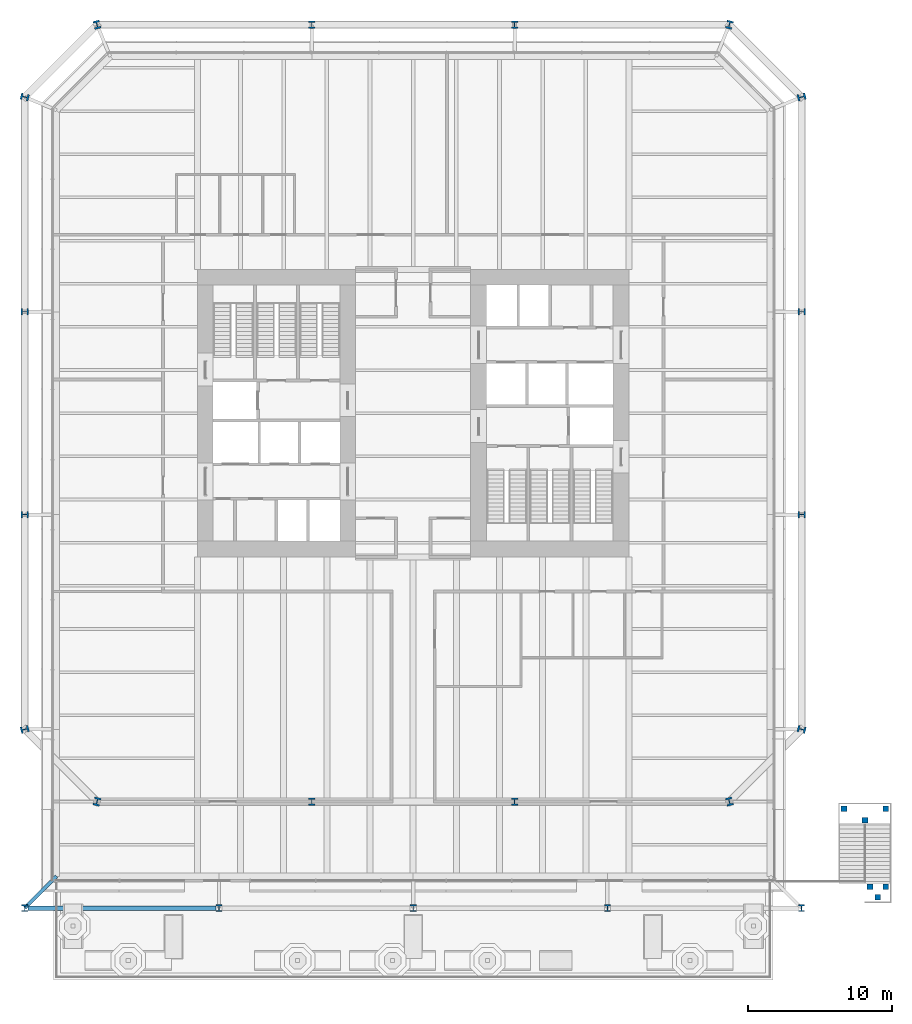
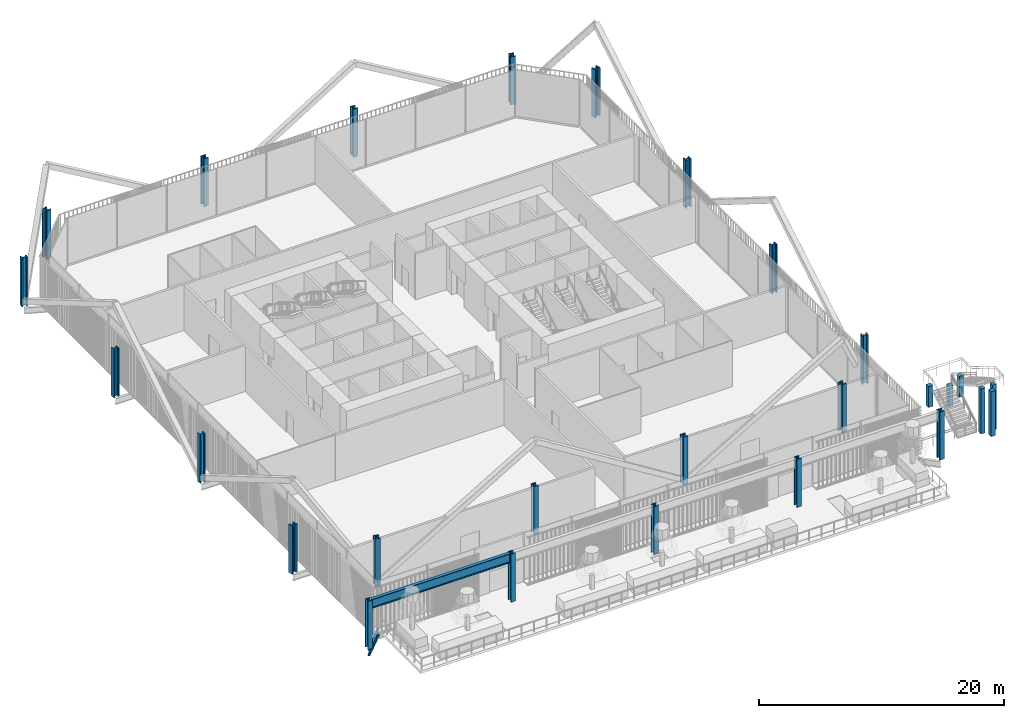
# One storey, part 1 of 26: 27 columns, 2 beams.
"""IFC4 building model written with IfcOpenShell, lengths in metres."""

from ifc_helpers import new_model, si_unit, direction, frame, origin, origin_2d, place, context, subcontext, project, spatial, rectangle, i_section, extrude, material, material_profile, profile_set, type_object, element, save


model = new_model("IFC4")

# Units and contexts
model_context = context("Model", 3, precision=1e-05, world=origin(), true_north=direction((0.0, 1.0)))
body_context = subcontext(model_context, "Body", "Model", "MODEL_VIEW")
ifc_project = project(units=[si_unit("LENGTHUNIT", "METRE"), si_unit("AREAUNIT", "SQUARE_METRE"), si_unit("VOLUMEUNIT", "CUBIC_METRE"), si_unit("PLANEANGLEUNIT", "RADIAN"), si_unit("MASSUNIT", "GRAM", prefix="KILO")], contexts=[model_context])

# Site, building, storey
site_placement = place(None, origin())
site = spatial("IfcSite", under=ifc_project, at=site_placement, CompositionType="ELEMENT")
building_placement = place(site_placement, origin())
building = spatial("IfcBuilding", under=site, at=building_placement, Name="Millrace Tower", CompositionType="ELEMENT")
storey_placement = place(building_placement, frame((0.0, 0.0, 11.300048828125)))
storey = spatial("IfcBuildingStorey", under=building, at=storey_placement, Name="L03", CompositionType="ELEMENT", Elevation=11.300048828125)

# Columns
ifc_material_1 = material(Name="Steel ASTM A913 Grade 65", Category="steel")
ifc_material_profile_1 = material_profile(ifc_material_1, i_section(OverallWidth=0.44189453125, OverallDepth=0.53076171875, WebThickness=0.06591796875, FlangeThickness=0.105712890625, FilletRadius=0.01513671875, at=origin_2d()))
ifc_profile_set_1 = profile_set([ifc_material_profile_1], Name="Steel ASTM A913 Grade 65")
column_type_1 = type_object("IfcColumnType", Name="Exoskeleton column W14x605", PredefinedType="COLUMN", material=ifc_profile_set_1)
for number, where, z_axis, x_axis, name in (
    (1, (-7.050048828125, -27.0, 0.0), (0.0, 0.0, 1.0), (1.0, 0.0, 0.0), "COL-A-L03-X03"),
    (2, (7.050048828125, -27.0, 0.0), (0.0, 0.0, 1.0), (1.0, 0.0, 0.0), "COL-A-L03-X04"),
    (3, (27.0, -7.050048828125, 0.0), (0.0, 0.0, 1.0), (0.0, 1.0, 0.0), "COL-A-L03-X07"),
    (4, (27.0, 7.050048828125, 0.0), (0.0, 0.0, 1.0), (0.0, 1.0, 0.0), "COL-A-L03-X08"),
    (5, (7.050048828125, 27.0, 0.0), (0.0, 0.0, 1.0), (-1.0, 0.0, 0.0), "COL-A-L03-X11"),
    (6, (-7.050048828125, 27.0, 0.0), (0.0, 0.0, 1.0), (-1.0, 0.0, 0.0), "COL-A-L03-X12"),
    (7, (-27.0, 7.050048828125, 0.0), (0.0, 0.0, 1.0), (0.0, -1.0, 0.0), "COL-A-L03-X15"),
    (8, (-27.0, -7.050048828125, 0.0), (0.0, 0.0, 1.0), (0.0, -1.0, 0.0), "COL-A-L03-X16"),
):
    element("IfcColumn", number, at=place(storey_placement, frame(where, z_axis=z_axis, x_axis=x_axis)), inside=storey, type_object=column_type_1, Name=name, PredefinedType="COLUMN", context=body_context, shape_type="SweptSolid", body=[
        extrude(i_section(OverallWidth=0.44189453125, OverallDepth=0.53076171875, WebThickness=0.06591796875, FlangeThickness=0.105712890625, FilletRadius=0.01513671875, at=origin_2d()), origin(), (0.0, 0.0, 1.0), 4.800048828125),
    ])
ifc_material_2 = material(Name="Steel ASTM A913 Grade 65", Category="steel")
ifc_material_profile_2 = material_profile(ifc_material_2, i_section(OverallWidth=0.45458984375, OverallDepth=0.56884765625, WebThickness=0.077880859375, FlangeThickness=0.124755859375, FilletRadius=0.01513671875, at=origin_2d()))
ifc_profile_set_2 = profile_set([ifc_material_profile_2], Name="Steel ASTM A913 Grade 65")
column_type_2 = type_object("IfcColumnType", Name="Exoskeleton column W14x730", PredefinedType="COLUMN", material=ifc_profile_set_2)
for number, where, z_axis, x_axis, name in (
    (9, (-27.0, -21.978515625, 0.0), (0.0, 0.0, 1.0), (0.244094142872, -0.969751540043, 0.0), "COL-A-L03-X01"),
    (10, (-21.978515625, -27.0, 0.0), (0.0, 0.0, 1.0), (0.969751540043, -0.244094142872, 0.0), "COL-A-L03-X02"),
    (11, (21.978515625, -27.0, 0.0), (0.0, 0.0, 1.0), (0.969751540043, 0.244094142872, 0.0), "COL-A-L03-X05"),
    (12, (27.0, -21.978515625, 0.0), (0.0, 0.0, 1.0), (0.244094142872, 0.969751540043, 0.0), "COL-A-L03-X06"),
    (13, (27.0, 21.978515625, 0.0), (0.0, 0.0, 1.0), (-0.244094142872, 0.969751540043, 0.0), "COL-A-L03-X09"),
    (14, (21.978515625, 27.0, 0.0), (0.0, 0.0, 1.0), (-0.969751540043, 0.244094142872, 0.0), "COL-A-L03-X10"),
    (15, (-21.978515625, 27.0, 0.0), (0.0, 0.0, 1.0), (-0.969751540043, -0.244094142872, 0.0), "COL-A-L03-X13"),
    (16, (-27.0, 21.978515625, 0.0), (0.0, 0.0, 1.0), (-0.244094142872, -0.969751540043, 0.0), "COL-A-L03-X14"),
):
    element("IfcColumn", number, at=place(storey_placement, frame(where, z_axis=z_axis, x_axis=x_axis)), inside=storey, type_object=column_type_2, Name=name, PredefinedType="COLUMN", context=body_context, shape_type="SweptSolid", body=[
        extrude(i_section(OverallWidth=0.45458984375, OverallDepth=0.56884765625, WebThickness=0.077880859375, FlangeThickness=0.124755859375, FilletRadius=0.01513671875, at=origin_2d()), origin(), (0.0, 0.0, 1.0), 4.800048828125),
    ])
ifc_material_3 = material(Name="Concrete C45", Category="concrete")
ifc_material_profile_3 = material_profile(ifc_material_3, rectangle(XDim=0.39990234375, YDim=0.39990234375, at=origin_2d()))
ifc_profile_set_3 = profile_set([ifc_material_profile_3], Name="Concrete C45")
column_type_3 = type_object("IfcColumnType", Name="Landing pier column 400", PredefinedType="COLUMN", material=ifc_profile_set_3)
for number, where, z_axis, x_axis, name in (
    (17, (29.949951171875, -27.489990234375, 0.0), (0.0, 0.0, 1.0), (1.0, 0.0, 0.0), "Landing pier column RP-C-MID 1 L03"),
    (18, (31.39990234375, -28.2900390625, 0.0), (0.0, 0.0, 1.0), (1.0, 0.0, 0.0), "Landing pier column RP-C-MID 2 L03"),
    (19, (32.85009765625, -27.489990234375, 0.0), (0.0, 0.0, 1.0), (1.0, 0.0, 0.0), "Landing pier column RP-C-MID 3 L03"),
):
    element("IfcColumn", number, at=place(storey_placement, frame(where, z_axis=z_axis, x_axis=x_axis)), inside=storey, type_object=column_type_3, Name=name, PredefinedType="COLUMN", context=body_context, shape_type="SweptSolid", body=[
        extrude(rectangle(XDim=0.39990234375, YDim=0.39990234375, at=origin_2d()), origin(), (0.0, 0.0, 1.0), 2.099853515625),
    ])
for number, where, z_axis, x_axis, name in (
    (20, (31.75, -32.909912109375, 0.0), (0.0, 0.0, 1.0), (1.0, 0.0, 0.0), "Landing pier column RP-C-TOP 1 L03"),
    (21, (32.300048828125, -33.64990234375, 0.0), (0.0, 0.0, 1.0), (1.0, 0.0, 0.0), "Landing pier column RP-C-TOP 2 L03"),
    (22, (32.85009765625, -32.909912109375, 0.0), (0.0, 0.0, 1.0), (1.0, 0.0, 0.0), "Landing pier column RP-C-TOP 3 L03"),
):
    element("IfcColumn", number, at=place(storey_placement, frame(where, z_axis=z_axis, x_axis=x_axis)), inside=storey, type_object=column_type_3, Name=name, PredefinedType="COLUMN", context=body_context, shape_type="SweptSolid", body=[
        extrude(rectangle(XDim=0.39990234375, YDim=0.39990234375, at=origin_2d()), origin(), (0.0, 0.0, 1.0), 4.5),
    ])
ifc_material_4 = material(Name="Steel ASTM A913 Grade 65", Category="steel")
ifc_material_profile_4 = material_profile(ifc_material_4, i_section(OverallWidth=0.431884765625, OverallDepth=0.497802734375, WebThickness=0.0556640625, FlangeThickness=0.0888671875, FilletRadius=0.01513671875, at=origin_2d()))
ifc_profile_set_4 = profile_set([ifc_material_profile_4], Name="Steel ASTM A913 Grade 65")
column_type_4 = type_object("IfcColumnType", Name="Wing column W14x500", PredefinedType="COLUMN", material=ifc_profile_set_4)
for number, where, z_axis, x_axis, name in (
    (23, (-27.0, -34.39990234375, 0.0), (0.0, 0.0, 1.0), (1.0, 0.0, 0.0), "COL-AW3-L03-X01"),
    (24, (-13.5, -34.39990234375, 0.0), (0.0, 0.0, 1.0), (1.0, 0.0, 0.0), "COL-AW3-L03-X02"),
    (25, (0.0, -34.39990234375, 0.0), (0.0, 0.0, 1.0), (1.0, 0.0, 0.0), "COL-AW3-L03-X03"),
    (26, (13.5, -34.39990234375, 0.0), (0.0, 0.0, 1.0), (1.0, 0.0, 0.0), "COL-AW3-L03-X04"),
    (27, (27.0, -34.39990234375, 0.0), (0.0, 0.0, 1.0), (1.0, 0.0, 0.0), "COL-AW3-L03-X05"),
):
    element("IfcColumn", number, at=place(storey_placement, frame(where, z_axis=z_axis, x_axis=x_axis)), inside=storey, type_object=column_type_4, Name=name, PredefinedType="COLUMN", context=body_context, shape_type="SweptSolid", body=[
        extrude(i_section(OverallWidth=0.431884765625, OverallDepth=0.497802734375, WebThickness=0.0556640625, FlangeThickness=0.0888671875, FilletRadius=0.01513671875, at=origin_2d()), origin(), (0.0, 0.0, 1.0), 4.800048828125),
    ])

# Beams
ifc_material_5 = material(Name="Steel ASTM A992 Grade 50", Category="steel")
ifc_material_profile_5 = material_profile(ifc_material_5, i_section(OverallWidth=0.23046875, OverallDepth=0.6171875, WebThickness=0.01318359375, FlangeThickness=0.022216796875, FilletRadius=0.012939453125, at=origin_2d()))
ifc_profile_set_5 = profile_set([ifc_material_profile_5], Name="Steel ASTM A992 Grade 50")
beam_type_1 = type_object("IfcBeamType", Name="Link beam W24x94", PredefinedType="BEAM", material=ifc_profile_set_5)
beam_1_placement = place(storey_placement, frame((-24.7890625, -32.189208984375, -0.53369140625), z_axis=(-0.707145823054, -0.707067737163, 0.0), x_axis=(0.707067737163, -0.707145823054, 0.0)))
element("IfcBeam", 28, at=beam_1_placement, inside=storey, type_object=beam_type_1, Name="LNK-A-L03-S1-01", PredefinedType="BEAM", context=body_context, shape_type="SweptSolid", body=[
    extrude(i_section(OverallWidth=0.23046875, OverallDepth=0.6171875, WebThickness=0.01318359375, FlangeThickness=0.022216796875, FilletRadius=0.012939453125, at=origin_2d()), origin(), (0.0, 0.0, 1.0), 3.12646484375),
])
ifc_material_6 = material(Name="Steel ASTM A992 Grade 50", Category="steel")
ifc_material_profile_6 = material_profile(ifc_material_6, i_section(OverallWidth=0.307373046875, OverallDepth=0.927001953125, WebThickness=0.01953125, FlangeThickness=0.031982421875, FilletRadius=0.01904296875, at=origin_2d()))
ifc_profile_set_6 = profile_set([ifc_material_profile_6], Name="Steel ASTM A992 Grade 50")
beam_type_2 = type_object("IfcBeamType", Name="Terrace edge beam W36x194", PredefinedType="BEAM", material=ifc_profile_set_6)
beam_2_placement = place(storey_placement, frame((-26.7841796875, -34.39990234375, 4.33642578125), z_axis=(1.0, 0.0, 0.0), x_axis=(0.0, 1.0, 0.0)))
element("IfcBeam", 29, at=beam_2_placement, inside=storey, type_object=beam_type_2, Name="BM-WING-L03-EDGE01", PredefinedType="BEAM", context=body_context, shape_type="SweptSolid", body=[
    extrude(i_section(OverallWidth=0.307373046875, OverallDepth=0.927001953125, WebThickness=0.01953125, FlangeThickness=0.031982421875, FilletRadius=0.01904296875, at=origin_2d()), origin(), (0.0, 0.0, 1.0), 13.068359375),
])

save(model, "model.ifc")
